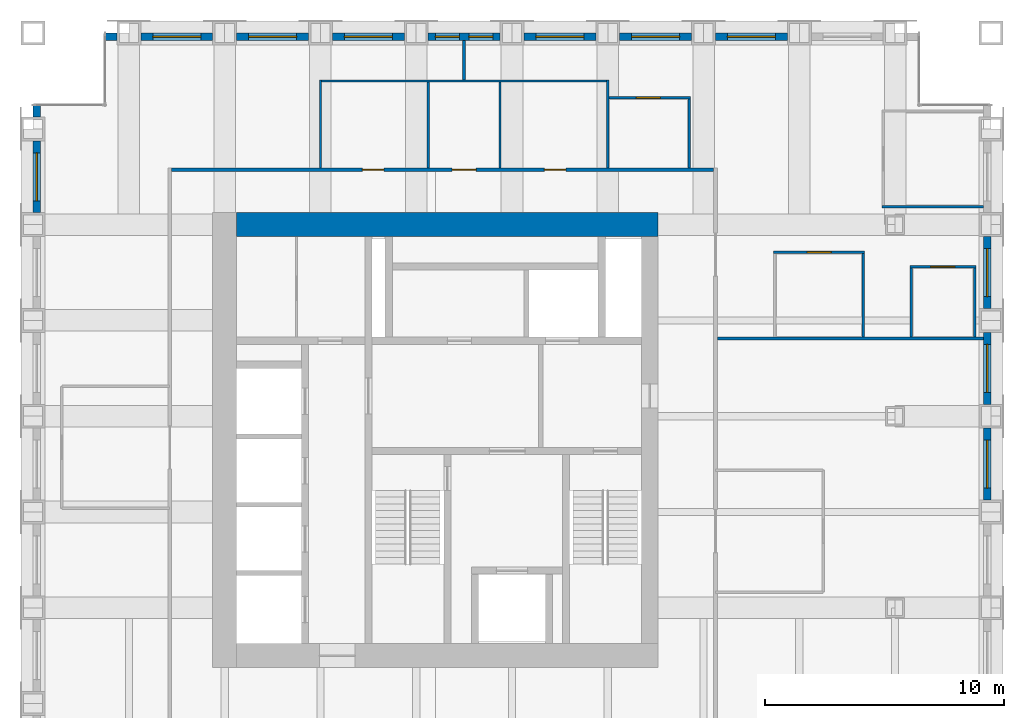
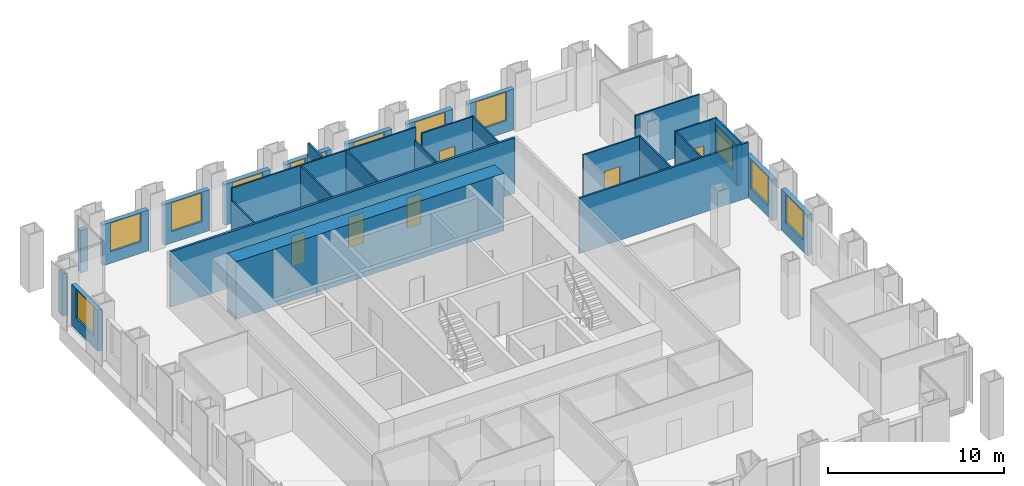
# One storey, part 10 of 13: 30 walls, 12 windows, 6 doors, 18 openings.
"""IFC4 building model written with IfcOpenShell, lengths in metres."""

from ifc_helpers import new_model, si_unit, direction, frame, frame_2d, origin, place, context, subcontext, project, spatial, rectangle, extrude, material, layer, layer_set, type_object, element, fill, save


model = new_model("IFC4")

# Units and contexts
model_context = context("Model", 3, precision=1e-05, world=origin(), true_north=direction((0.0, 1.0)))
body_context = subcontext(model_context, "Body", "Model", "MODEL_VIEW")
ifc_project = project(units=[si_unit("LENGTHUNIT", "METRE"), si_unit("AREAUNIT", "SQUARE_METRE"), si_unit("VOLUMEUNIT", "CUBIC_METRE"), si_unit("PLANEANGLEUNIT", "RADIAN"), si_unit("MASSUNIT", "GRAM", prefix="KILO")], contexts=[model_context])

# Site, building, storey
site_placement = place(None, origin())
site = spatial("IfcSite", under=ifc_project, at=site_placement, CompositionType="ELEMENT")
building_placement = place(site_placement, origin())
building = spatial("IfcBuilding", under=site, at=building_placement, Name="Rimbunsela Tower", CompositionType="ELEMENT")
storey_placement = place(building_placement, frame((0.0, 0.0, 262.199951171875)))
storey = spatial("IfcBuildingStorey", under=building, at=storey_placement, Name="L63", CompositionType="ELEMENT", Elevation=262.199951171875)

# Wall
ifc_material_1 = material(Name="Concrete fc' 80 MPa", Category="concrete")
ifc_layer_1 = layer(ifc_material_1, 1.0)
ifc_layer_set_1 = layer_set([ifc_layer_1], Name="Core wall 1000")
wall_type_1 = type_object("IfcWallType", Name="Core wall 1000", PredefinedType="SHEAR", material=ifc_layer_set_1)
wall_1_placement = place(storey_placement, frame((18.5, 36.0, -0.14990234375), z_axis=(0.0, 0.0, 1.0), x_axis=(1.0, 0.0, 0.0)))
element("IfcWall", 1, at=wall_1_placement, inside=storey, type_object=wall_type_1, Name="Core wall north", PredefinedType="SHEAR", context=body_context, shape_type="SweptSolid", body=[
    extrude(rectangle(XDim=17.60009765625, YDim=1.0, at=frame_2d((8.800048828125, 0.0))), origin(), (0.0, 0.0, 1.0), 4.0),
])

# Wall, opening, door
ifc_material_2 = material(Name="Gypsum board on steel studs", Category="steel")
ifc_layer_2 = layer(ifc_material_2, 0.10009765625)
ifc_layer_set_2 = layer_set([ifc_layer_2], Name="Office partition 100")
wall_type_2 = type_object("IfcWallType", Name="Office partition 100", PredefinedType="PARTITIONING", material=ifc_layer_set_2)
wall_2_placement = place(storey_placement, frame((46.625, 34.25, 0.0), z_axis=(0.0, 0.0, 1.0), x_axis=(1.0, 0.0, 0.0)))
wall_2 = element("IfcWall", 2, at=wall_2_placement, inside=storey, type_object=wall_type_2, Name="Office partition", PredefinedType="PARTITIONING", context=body_context, shape_type="SweptSolid", body=[
    extrude(rectangle(XDim=2.75, YDim=0.10009765625, at=frame_2d((1.375, 0.0))), origin(), (0.0, 0.0, 1.0), 3.85009765625),
])
opening_1_placement = place(wall_2_placement, frame((0.875, 0.0, 0.0)))
opening_1 = element("IfcOpeningElement", 3, at=opening_1_placement, cuts=wall_2, Name="Opening D16", PredefinedType="OPENING", context=body_context, shape_type="SweptSolid", body=[
    extrude(rectangle(XDim=1.0, YDim=2.199951171875, at=frame_2d((0.5, 1.10009765625))), frame((0.0, 0.06005859375, 0.0), z_axis=(0.0, -1.0, 0.0), x_axis=(1.0, 0.0, 0.0)), (0.0, 0.0, 1.0), 0.1201171875),
])
ifc_material_3 = material(Name="Timber door", Category="wood")
door_type_1 = type_object("IfcDoorType", Name="Office door 1000", OperationType="SINGLE_SWING_LEFT", PredefinedType="DOOR", material=ifc_material_3)
door_1_placement = place(opening_1_placement, origin())
door_1 = element("IfcDoor", 4, at=door_1_placement, inside=storey, type_object=door_type_1, Name="Office door", OperationType="SINGLE_SWING_LEFT", OverallHeight=2.199951171875, OverallWidth=1.0, PredefinedType="DOOR", context=body_context, shape_type="SweptSolid", body=[
    extrude(rectangle(XDim=1.0, YDim=2.199951171875, at=frame_2d((0.5, 1.10009765625))), frame((0.0, 0.02490234375, 0.0), z_axis=(0.0, -1.0, 0.0), x_axis=(1.0, 0.0, 0.0)), (0.0, 0.0, 1.0), 0.050048828125),
])
fill(opening_1, door_1)

wall_3_placement = place(storey_placement, frame((40.925048828125, 34.85009765625, 0.0), z_axis=(0.0, 0.0, 1.0), x_axis=(1.0, 0.0, 0.0)))
wall_3 = element("IfcWall", 5, at=wall_3_placement, inside=storey, type_object=wall_type_2, Name="Office partition", PredefinedType="PARTITIONING", context=body_context, shape_type="SweptSolid", body=[
    extrude(rectangle(XDim=3.800048828125, YDim=0.10009765625, at=frame_2d((1.89990234375, 0.0))), origin(), (0.0, 0.0, 1.0), 3.85009765625),
])
opening_2_placement = place(wall_3_placement, frame((1.39990234375, 0.0, 0.0)))
opening_2 = element("IfcOpeningElement", 6, at=opening_2_placement, cuts=wall_3, Name="Opening D17", PredefinedType="OPENING", context=body_context, shape_type="SweptSolid", body=[
    extrude(rectangle(XDim=1.0, YDim=2.199951171875, at=frame_2d((0.5, 1.10009765625))), frame((0.0, 0.06005859375, 0.0), z_axis=(0.0, -1.0, 0.0), x_axis=(1.0, 0.0, 0.0)), (0.0, 0.0, 1.0), 0.1201171875),
])
ifc_material_4 = material(Name="Glazed aluminium door", Category="aluminium")
door_type_2 = type_object("IfcDoorType", Name="Meeting room door 1000 glazed", OperationType="SINGLE_SWING_RIGHT", PredefinedType="DOOR", material=ifc_material_4)
door_2_placement = place(opening_2_placement, origin())
door_2 = element("IfcDoor", 7, at=door_2_placement, inside=storey, type_object=door_type_2, Name="Meeting room door", OperationType="SINGLE_SWING_RIGHT", OverallHeight=2.199951171875, OverallWidth=1.0, PredefinedType="DOOR", context=body_context, shape_type="SweptSolid", body=[
    extrude(rectangle(XDim=1.0, YDim=2.199951171875, at=frame_2d((0.5, 1.10009765625))), frame((0.0, 0.02490234375, 0.0), z_axis=(0.0, -1.0, 0.0), x_axis=(1.0, 0.0, 0.0)), (0.0, 0.0, 1.0), 0.050048828125),
])
fill(opening_2, door_2)

# Wall
wall_4_placement = place(storey_placement, frame((45.449951171875, 36.75, 0.0), z_axis=(0.0, 0.0, 1.0), x_axis=(1.0, 0.0, 0.0)))
element("IfcWall", 8, at=wall_4_placement, inside=storey, type_object=wall_type_2, Name="Office partition", PredefinedType="PARTITIONING", context=body_context, shape_type="SweptSolid", body=[
    extrude(rectangle(XDim=4.25, YDim=0.10009765625, at=frame_2d((2.125, 0.0))), origin(), (0.0, 0.0, 1.0), 3.85009765625),
])

# Wall, opening, door
wall_5_placement = place(storey_placement, frame((34.050048828125, 41.300048828125, 0.0), z_axis=(0.0, 0.0, 1.0), x_axis=(1.0, 0.0, 0.0)))
wall_5 = element("IfcWall", 9, at=wall_5_placement, inside=storey, type_object=wall_type_2, Name="Office partition", PredefinedType="PARTITIONING", context=body_context, shape_type="SweptSolid", body=[
    extrude(rectangle(XDim=3.39990234375, YDim=0.10009765625, at=frame_2d((1.699951171875, 0.0))), origin(), (0.0, 0.0, 1.0), 3.85009765625),
])
opening_3_placement = place(wall_5_placement, frame((1.14990234375, 0.0, 0.0)))
opening_3 = element("IfcOpeningElement", 10, at=opening_3_placement, cuts=wall_5, Name="Opening D16", PredefinedType="OPENING", context=body_context, shape_type="SweptSolid", body=[
    extrude(rectangle(XDim=1.0, YDim=2.199951171875, at=frame_2d((0.5, 1.10009765625))), frame((0.0, 0.06005859375, 0.0), z_axis=(0.0, -1.0, 0.0), x_axis=(1.0, 0.0, 0.0)), (0.0, 0.0, 1.0), 0.1201171875),
])
door_3_placement = place(opening_3_placement, origin())
door_3 = element("IfcDoor", 11, at=door_3_placement, inside=storey, type_object=door_type_1, Name="Office door", OperationType="SINGLE_SWING_LEFT", OverallHeight=2.199951171875, OverallWidth=1.0, PredefinedType="DOOR", context=body_context, shape_type="SweptSolid", body=[
    extrude(rectangle(XDim=1.0, YDim=2.199951171875, at=frame_2d((0.5, 1.10009765625))), frame((0.0, 0.02490234375, 0.0), z_axis=(0.0, -1.0, 0.0), x_axis=(1.0, 0.0, 0.0)), (0.0, 0.0, 1.0), 0.050048828125),
])
fill(opening_3, door_3)

# Walls
wall_6_placement = place(storey_placement, frame((37.39990234375, 38.375, 0.0), z_axis=(0.0, 0.0, 1.0), x_axis=(0.0, 1.0, 0.0)))
element("IfcWall", 12, at=wall_6_placement, inside=storey, type_object=wall_type_2, Name="Office partition", PredefinedType="PARTITIONING", context=body_context, shape_type="SweptSolid", body=[
    extrude(rectangle(XDim=2.875, YDim=0.10009765625, at=frame_2d((1.4375, 0.0))), origin(), (0.0, 0.0, 1.0), 3.85009765625),
])
wall_7_placement = place(storey_placement, frame((44.675048828125, 31.31005859375, 0.0), z_axis=(0.0, 0.0, 1.0), x_axis=(0.0, 1.0, 0.0)))
element("IfcWall", 13, at=wall_7_placement, inside=storey, type_object=wall_type_2, Name="Office partition", PredefinedType="PARTITIONING", context=body_context, shape_type="SweptSolid", body=[
    extrude(rectangle(XDim=3.489990234375, YDim=0.10009765625, at=frame_2d((1.7451171875, 0.0))), origin(), (0.0, 0.0, 1.0), 3.85009765625),
])
for number, where, z_axis, x_axis, name in (
    (14, (46.675048828125, 31.31005859375, 0.0), (0.0, 0.0, 1.0), (0.0, 1.0, 0.0), "Office partition"),
    (15, (49.324951171875, 31.31005859375, 0.0), (0.0, 0.0, 1.0), (0.0, 1.0, 0.0), "Office partition"),
):
    element("IfcWall", number, at=place(storey_placement, frame(where, z_axis=z_axis, x_axis=x_axis)), inside=storey, type_object=wall_type_2, Name=name, PredefinedType="PARTITIONING", context=body_context, shape_type="SweptSolid", body=[
        extrude(rectangle(XDim=2.889892578125, YDim=0.10009765625, at=frame_2d((1.44482421875, 0.0))), origin(), (0.0, 0.0, 1.0), 3.85009765625),
    ])

# Wall, opening, window
ifc_material_5 = material(Name="Precast concrete fc' 35 MPa", Category="concrete")
ifc_layer_3 = layer(ifc_material_5, 0.300048828125)
ifc_layer_set_3 = layer_set([ifc_layer_3], Name="Precast concrete fc' 35 MPa")
wall_type_3 = type_object("IfcWallType", Name="Precast facade panel 300", PredefinedType="ELEMENTEDWALL", material=ifc_layer_set_3)
wall_8_placement = place(storey_placement, frame((49.85009765625, 24.5, 0.0), z_axis=(0.0, 0.0, 1.0), x_axis=(0.0, 1.0, 0.0)))
wall_8 = element("IfcWall", 16, at=wall_8_placement, inside=storey, type_object=wall_type_3, Name="Facade panel E L63", PredefinedType="ELEMENTEDWALL", context=body_context, shape_type="SweptSolid", body=[
    extrude(rectangle(XDim=3.0, YDim=0.300048828125, at=frame_2d((1.5, 0.0))), origin(), (0.0, 0.0, 1.0), 2.85009765625),
])
opening_4_placement = place(wall_8_placement, frame((0.5, 0.0, 0.800048828125)))
opening_4 = element("IfcOpeningElement", 17, at=opening_4_placement, cuts=wall_8, Name="Opening W1", PredefinedType="OPENING", context=body_context, shape_type="SweptSolid", body=[
    extrude(rectangle(XDim=2.0, YDim=2.0, at=frame_2d((1.0, 1.0))), frame((0.0, 0.159912109375, 0.0), z_axis=(0.0, -1.0, 0.0), x_axis=(1.0, 0.0, 0.0)), (0.0, 0.0, 1.0), 0.320068359375),
])
ifc_material_6 = material(Name="Clear glass in aluminium frame", Category="aluminium")
window_type_1 = type_object("IfcWindowType", Name="Window W1 2000x2000", PartitioningType="DOUBLE_PANEL_VERTICAL", PredefinedType="WINDOW", material=ifc_material_6)
window_1_placement = place(opening_4_placement, origin())
window_1 = element("IfcWindow", 18, at=window_1_placement, inside=storey, type_object=window_type_1, Name="Window L63", OverallHeight=2.0, OverallWidth=2.0, PartitioningType="SINGLE_PANEL", PredefinedType="WINDOW", context=body_context, shape_type="SweptSolid", body=[
    extrude(rectangle(XDim=2.0, YDim=2.0, at=frame_2d((1.0, 1.0))), frame((0.0, 0.030029296875, 0.0), z_axis=(0.0, -1.0, 0.0), x_axis=(1.0, 0.0, 0.0)), (0.0, 0.0, 1.0), 0.06005859375),
])
fill(opening_4, window_1)

wall_9_placement = place(storey_placement, frame((49.85009765625, 28.5, 0.0), z_axis=(0.0, 0.0, 1.0), x_axis=(0.0, 1.0, 0.0)))
wall_9 = element("IfcWall", 19, at=wall_9_placement, inside=storey, type_object=wall_type_3, Name="Facade panel E L63", PredefinedType="ELEMENTEDWALL", context=body_context, shape_type="SweptSolid", body=[
    extrude(rectangle(XDim=3.0, YDim=0.300048828125, at=frame_2d((1.5, 0.0))), origin(), (0.0, 0.0, 1.0), 2.85009765625),
])
opening_5_placement = place(wall_9_placement, frame((0.5, 0.0, 0.800048828125)))
opening_5 = element("IfcOpeningElement", 20, at=opening_5_placement, cuts=wall_9, Name="Opening W1", PredefinedType="OPENING", context=body_context, shape_type="SweptSolid", body=[
    extrude(rectangle(XDim=2.0, YDim=2.0, at=frame_2d((1.0, 1.0))), frame((0.0, 0.159912109375, 0.0), z_axis=(0.0, -1.0, 0.0), x_axis=(1.0, 0.0, 0.0)), (0.0, 0.0, 1.0), 0.320068359375),
])
window_2_placement = place(opening_5_placement, origin())
window_2 = element("IfcWindow", 21, at=window_2_placement, inside=storey, type_object=window_type_1, Name="Window L63", OverallHeight=2.0, OverallWidth=2.0, PartitioningType="SINGLE_PANEL", PredefinedType="WINDOW", context=body_context, shape_type="SweptSolid", body=[
    extrude(rectangle(XDim=2.0, YDim=2.0, at=frame_2d((1.0, 1.0))), frame((0.0, 0.030029296875, 0.0), z_axis=(0.0, -1.0, 0.0), x_axis=(1.0, 0.0, 0.0)), (0.0, 0.0, 1.0), 0.06005859375),
])
fill(opening_5, window_2)

wall_10_placement = place(storey_placement, frame((49.85009765625, 32.5, 0.0), z_axis=(0.0, 0.0, 1.0), x_axis=(0.0, 1.0, 0.0)))
wall_10 = element("IfcWall", 22, at=wall_10_placement, inside=storey, type_object=wall_type_3, Name="Facade panel E L63", PredefinedType="ELEMENTEDWALL", context=body_context, shape_type="SweptSolid", body=[
    extrude(rectangle(XDim=3.0, YDim=0.300048828125, at=frame_2d((1.5, 0.0))), origin(), (0.0, 0.0, 1.0), 2.85009765625),
])
opening_6_placement = place(wall_10_placement, frame((0.5, 0.0, 0.800048828125)))
opening_6 = element("IfcOpeningElement", 23, at=opening_6_placement, cuts=wall_10, Name="Opening W1", PredefinedType="OPENING", context=body_context, shape_type="SweptSolid", body=[
    extrude(rectangle(XDim=2.0, YDim=2.0, at=frame_2d((1.0, 1.0))), frame((0.0, 0.159912109375, 0.0), z_axis=(0.0, -1.0, 0.0), x_axis=(1.0, 0.0, 0.0)), (0.0, 0.0, 1.0), 0.320068359375),
])
window_3_placement = place(opening_6_placement, origin())
window_3 = element("IfcWindow", 24, at=window_3_placement, inside=storey, type_object=window_type_1, Name="Window L63", OverallHeight=2.0, OverallWidth=2.0, PartitioningType="SINGLE_PANEL", PredefinedType="WINDOW", context=body_context, shape_type="SweptSolid", body=[
    extrude(rectangle(XDim=2.0, YDim=2.0, at=frame_2d((1.0, 1.0))), frame((0.0, 0.030029296875, 0.0), z_axis=(0.0, -1.0, 0.0), x_axis=(1.0, 0.0, 0.0)), (0.0, 0.0, 1.0), 0.06005859375),
])
fill(opening_6, window_3)

# Wall
wall_11_placement = place(storey_placement, frame((13.5, 43.85009765625, 0.0), z_axis=(0.0, 0.0, 1.0), x_axis=(-1.0, 0.0, 0.0)))
element("IfcWall", 25, at=wall_11_placement, inside=storey, type_object=wall_type_3, Name="Facade panel N L63", PredefinedType="ELEMENTEDWALL", context=body_context, shape_type="SweptSolid", body=[
    extrude(rectangle(XDim=0.469970703125, YDim=0.300048828125, at=frame_2d((0.23486328125, 0.0))), origin(), (0.0, 0.0, 1.0), 2.949951171875),
])

# Wall, opening, window
wall_12_placement = place(storey_placement, frame((17.5, 43.85009765625, 0.0), z_axis=(0.0, 0.0, 1.0), x_axis=(-1.0, 0.0, 0.0)))
wall_12 = element("IfcWall", 26, at=wall_12_placement, inside=storey, type_object=wall_type_3, Name="Facade panel N L63", PredefinedType="ELEMENTEDWALL", context=body_context, shape_type="SweptSolid", body=[
    extrude(rectangle(XDim=3.0, YDim=0.300048828125, at=frame_2d((1.5, 0.0))), origin(), (0.0, 0.0, 1.0), 2.85009765625),
])
opening_7_placement = place(wall_12_placement, frame((0.5, 0.0, 0.800048828125)))
opening_7 = element("IfcOpeningElement", 27, at=opening_7_placement, cuts=wall_12, Name="Opening W1", PredefinedType="OPENING", context=body_context, shape_type="SweptSolid", body=[
    extrude(rectangle(XDim=2.0, YDim=2.0, at=frame_2d((1.0, 1.0))), frame((0.0, 0.159912109375, 0.0), z_axis=(0.0, -1.0, 0.0), x_axis=(1.0, 0.0, 0.0)), (0.0, 0.0, 1.0), 0.320068359375),
])
window_4_placement = place(opening_7_placement, origin())
window_4 = element("IfcWindow", 28, at=window_4_placement, inside=storey, type_object=window_type_1, Name="Window L63", OverallHeight=2.0, OverallWidth=2.0, PartitioningType="SINGLE_PANEL", PredefinedType="WINDOW", context=body_context, shape_type="SweptSolid", body=[
    extrude(rectangle(XDim=2.0, YDim=2.0, at=frame_2d((1.0, 1.0))), frame((0.0, 0.030029296875, 0.0), z_axis=(0.0, -1.0, 0.0), x_axis=(1.0, 0.0, 0.0)), (0.0, 0.0, 1.0), 0.06005859375),
])
fill(opening_7, window_4)

wall_13_placement = place(storey_placement, frame((21.5, 43.85009765625, 0.0), z_axis=(0.0, 0.0, 1.0), x_axis=(-1.0, 0.0, 0.0)))
wall_13 = element("IfcWall", 29, at=wall_13_placement, inside=storey, type_object=wall_type_3, Name="Facade panel N L63", PredefinedType="ELEMENTEDWALL", context=body_context, shape_type="SweptSolid", body=[
    extrude(rectangle(XDim=3.0, YDim=0.300048828125, at=frame_2d((1.5, 0.0))), origin(), (0.0, 0.0, 1.0), 2.85009765625),
])
opening_8_placement = place(wall_13_placement, frame((0.5, 0.0, 0.800048828125)))
opening_8 = element("IfcOpeningElement", 30, at=opening_8_placement, cuts=wall_13, Name="Opening W1", PredefinedType="OPENING", context=body_context, shape_type="SweptSolid", body=[
    extrude(rectangle(XDim=2.0, YDim=2.0, at=frame_2d((1.0, 1.0))), frame((0.0, 0.159912109375, 0.0), z_axis=(0.0, -1.0, 0.0), x_axis=(1.0, 0.0, 0.0)), (0.0, 0.0, 1.0), 0.320068359375),
])
window_5_placement = place(opening_8_placement, origin())
window_5 = element("IfcWindow", 31, at=window_5_placement, inside=storey, type_object=window_type_1, Name="Window L63", OverallHeight=2.0, OverallWidth=2.0, PartitioningType="SINGLE_PANEL", PredefinedType="WINDOW", context=body_context, shape_type="SweptSolid", body=[
    extrude(rectangle(XDim=2.0, YDim=2.0, at=frame_2d((1.0, 1.0))), frame((0.0, 0.030029296875, 0.0), z_axis=(0.0, -1.0, 0.0), x_axis=(1.0, 0.0, 0.0)), (0.0, 0.0, 1.0), 0.06005859375),
])
fill(opening_8, window_5)

wall_14_placement = place(storey_placement, frame((25.5, 43.85009765625, 0.0), z_axis=(0.0, 0.0, 1.0), x_axis=(-1.0, 0.0, 0.0)))
wall_14 = element("IfcWall", 32, at=wall_14_placement, inside=storey, type_object=wall_type_3, Name="Facade panel N L63", PredefinedType="ELEMENTEDWALL", context=body_context, shape_type="SweptSolid", body=[
    extrude(rectangle(XDim=3.0, YDim=0.300048828125, at=frame_2d((1.5, 0.0))), origin(), (0.0, 0.0, 1.0), 2.85009765625),
])
opening_9_placement = place(wall_14_placement, frame((0.5, 0.0, 0.800048828125)))
opening_9 = element("IfcOpeningElement", 33, at=opening_9_placement, cuts=wall_14, Name="Opening W1", PredefinedType="OPENING", context=body_context, shape_type="SweptSolid", body=[
    extrude(rectangle(XDim=2.0, YDim=2.0, at=frame_2d((1.0, 1.0))), frame((0.0, 0.159912109375, 0.0), z_axis=(0.0, -1.0, 0.0), x_axis=(1.0, 0.0, 0.0)), (0.0, 0.0, 1.0), 0.320068359375),
])
window_6_placement = place(opening_9_placement, origin())
window_6 = element("IfcWindow", 34, at=window_6_placement, inside=storey, type_object=window_type_1, Name="Window L63", OverallHeight=2.0, OverallWidth=2.0, PartitioningType="SINGLE_PANEL", PredefinedType="WINDOW", context=body_context, shape_type="SweptSolid", body=[
    extrude(rectangle(XDim=2.0, YDim=2.0, at=frame_2d((1.0, 1.0))), frame((0.0, 0.030029296875, 0.0), z_axis=(0.0, -1.0, 0.0), x_axis=(1.0, 0.0, 0.0)), (0.0, 0.0, 1.0), 0.06005859375),
])
fill(opening_9, window_6)

# Wall, openings, windows
wall_15_placement = place(storey_placement, frame((29.5, 43.85009765625, 0.0), z_axis=(0.0, 0.0, 1.0), x_axis=(-1.0, 0.0, 0.0)))
wall_15 = element("IfcWall", 35, at=wall_15_placement, inside=storey, type_object=wall_type_3, Name="Facade panel N L63", PredefinedType="ELEMENTEDWALL", context=body_context, shape_type="SweptSolid", body=[
    extrude(rectangle(XDim=3.0, YDim=0.300048828125, at=frame_2d((1.5, 0.0))), origin(), (0.0, 0.0, 1.0), 2.85009765625),
])
opening_10_placement = place(wall_15_placement, frame((1.699951171875, 0.0, 0.800048828125)))
opening_10 = element("IfcOpeningElement", 36, at=opening_10_placement, cuts=wall_15, Name="Opening W5", PredefinedType="OPENING", context=body_context, shape_type="SweptSolid", body=[
    extrude(rectangle(XDim=1.0, YDim=2.0, at=frame_2d((0.5, 1.0))), frame((0.0, 0.159912109375, 0.0), z_axis=(0.0, -1.0, 0.0), x_axis=(1.0, 0.0, 0.0)), (0.0, 0.0, 1.0), 0.320068359375),
])
opening_11_placement = place(wall_15_placement, frame((0.300048828125, 0.0, 0.800048828125)))
opening_11 = element("IfcOpeningElement", 37, at=opening_11_placement, cuts=wall_15, Name="Opening W5", PredefinedType="OPENING", context=body_context, shape_type="SweptSolid", body=[
    extrude(rectangle(XDim=1.0, YDim=2.0, at=frame_2d((0.5, 1.0))), frame((0.0, 0.159912109375, 0.0), z_axis=(0.0, -1.0, 0.0), x_axis=(1.0, 0.0, 0.0)), (0.0, 0.0, 1.0), 0.320068359375),
])
ifc_material_7 = material(Name="Clear glass in aluminium frame", Category="aluminium")
window_type_2 = type_object("IfcWindowType", Name="Window W5 1000x2000", PartitioningType="SINGLE_PANEL", PredefinedType="WINDOW", material=ifc_material_7)
window_7_placement = place(opening_10_placement, origin())
window_7 = element("IfcWindow", 38, at=window_7_placement, inside=storey, type_object=window_type_2, Name="Window L63", OverallHeight=2.0, OverallWidth=1.0, PartitioningType="SINGLE_PANEL", PredefinedType="WINDOW", context=body_context, shape_type="SweptSolid", body=[
    extrude(rectangle(XDim=1.0, YDim=2.0, at=frame_2d((0.5, 1.0))), frame((0.0, 0.030029296875, 0.0), z_axis=(0.0, -1.0, 0.0), x_axis=(1.0, 0.0, 0.0)), (0.0, 0.0, 1.0), 0.06005859375),
])
fill(opening_10, window_7)
window_8_placement = place(opening_11_placement, origin())
window_8 = element("IfcWindow", 39, at=window_8_placement, inside=storey, type_object=window_type_2, Name="Window L63", OverallHeight=2.0, OverallWidth=1.0, PartitioningType="SINGLE_PANEL", PredefinedType="WINDOW", context=body_context, shape_type="SweptSolid", body=[
    extrude(rectangle(XDim=1.0, YDim=2.0, at=frame_2d((0.5, 1.0))), frame((0.0, 0.030029296875, 0.0), z_axis=(0.0, -1.0, 0.0), x_axis=(1.0, 0.0, 0.0)), (0.0, 0.0, 1.0), 0.06005859375),
])
fill(opening_11, window_8)

# Wall, opening, window
wall_16_placement = place(storey_placement, frame((33.5, 43.85009765625, 0.0), z_axis=(0.0, 0.0, 1.0), x_axis=(-1.0, 0.0, 0.0)))
wall_16 = element("IfcWall", 40, at=wall_16_placement, inside=storey, type_object=wall_type_3, Name="Facade panel N L63", PredefinedType="ELEMENTEDWALL", context=body_context, shape_type="SweptSolid", body=[
    extrude(rectangle(XDim=3.0, YDim=0.300048828125, at=frame_2d((1.5, 0.0))), origin(), (0.0, 0.0, 1.0), 2.85009765625),
])
opening_12_placement = place(wall_16_placement, frame((0.5, 0.0, 0.800048828125)))
opening_12 = element("IfcOpeningElement", 41, at=opening_12_placement, cuts=wall_16, Name="Opening W1", PredefinedType="OPENING", context=body_context, shape_type="SweptSolid", body=[
    extrude(rectangle(XDim=2.0, YDim=2.0, at=frame_2d((1.0, 1.0))), frame((0.0, 0.159912109375, 0.0), z_axis=(0.0, -1.0, 0.0), x_axis=(1.0, 0.0, 0.0)), (0.0, 0.0, 1.0), 0.320068359375),
])
window_9_placement = place(opening_12_placement, origin())
window_9 = element("IfcWindow", 42, at=window_9_placement, inside=storey, type_object=window_type_1, Name="Window L63", OverallHeight=2.0, OverallWidth=2.0, PartitioningType="SINGLE_PANEL", PredefinedType="WINDOW", context=body_context, shape_type="SweptSolid", body=[
    extrude(rectangle(XDim=2.0, YDim=2.0, at=frame_2d((1.0, 1.0))), frame((0.0, 0.030029296875, 0.0), z_axis=(0.0, -1.0, 0.0), x_axis=(1.0, 0.0, 0.0)), (0.0, 0.0, 1.0), 0.06005859375),
])
fill(opening_12, window_9)

wall_17_placement = place(storey_placement, frame((37.5, 43.85009765625, 0.0), z_axis=(0.0, 0.0, 1.0), x_axis=(-1.0, 0.0, 0.0)))
wall_17 = element("IfcWall", 43, at=wall_17_placement, inside=storey, type_object=wall_type_3, Name="Facade panel N L63", PredefinedType="ELEMENTEDWALL", context=body_context, shape_type="SweptSolid", body=[
    extrude(rectangle(XDim=3.0, YDim=0.300048828125, at=frame_2d((1.5, 0.0))), origin(), (0.0, 0.0, 1.0), 2.85009765625),
])
opening_13_placement = place(wall_17_placement, frame((0.5, 0.0, 0.800048828125)))
opening_13 = element("IfcOpeningElement", 44, at=opening_13_placement, cuts=wall_17, Name="Opening W1", PredefinedType="OPENING", context=body_context, shape_type="SweptSolid", body=[
    extrude(rectangle(XDim=2.0, YDim=2.0, at=frame_2d((1.0, 1.0))), frame((0.0, 0.159912109375, 0.0), z_axis=(0.0, -1.0, 0.0), x_axis=(1.0, 0.0, 0.0)), (0.0, 0.0, 1.0), 0.320068359375),
])
window_10_placement = place(opening_13_placement, origin())
window_10 = element("IfcWindow", 45, at=window_10_placement, inside=storey, type_object=window_type_1, Name="Window L63", OverallHeight=2.0, OverallWidth=2.0, PartitioningType="SINGLE_PANEL", PredefinedType="WINDOW", context=body_context, shape_type="SweptSolid", body=[
    extrude(rectangle(XDim=2.0, YDim=2.0, at=frame_2d((1.0, 1.0))), frame((0.0, 0.030029296875, 0.0), z_axis=(0.0, -1.0, 0.0), x_axis=(1.0, 0.0, 0.0)), (0.0, 0.0, 1.0), 0.06005859375),
])
fill(opening_13, window_10)

wall_18_placement = place(storey_placement, frame((41.5, 43.85009765625, 0.0), z_axis=(0.0, 0.0, 1.0), x_axis=(-1.0, 0.0, 0.0)))
wall_18 = element("IfcWall", 46, at=wall_18_placement, inside=storey, type_object=wall_type_3, Name="Facade panel N L63", PredefinedType="ELEMENTEDWALL", context=body_context, shape_type="SweptSolid", body=[
    extrude(rectangle(XDim=3.0, YDim=0.300048828125, at=frame_2d((1.5, 0.0))), origin(), (0.0, 0.0, 1.0), 2.85009765625),
])
opening_14_placement = place(wall_18_placement, frame((0.5, 0.0, 0.800048828125)))
opening_14 = element("IfcOpeningElement", 47, at=opening_14_placement, cuts=wall_18, Name="Opening W1", PredefinedType="OPENING", context=body_context, shape_type="SweptSolid", body=[
    extrude(rectangle(XDim=2.0, YDim=2.0, at=frame_2d((1.0, 1.0))), frame((0.0, 0.159912109375, 0.0), z_axis=(0.0, -1.0, 0.0), x_axis=(1.0, 0.0, 0.0)), (0.0, 0.0, 1.0), 0.320068359375),
])
window_11_placement = place(opening_14_placement, origin())
window_11 = element("IfcWindow", 48, at=window_11_placement, inside=storey, type_object=window_type_1, Name="Window L63", OverallHeight=2.0, OverallWidth=2.0, PartitioningType="SINGLE_PANEL", PredefinedType="WINDOW", context=body_context, shape_type="SweptSolid", body=[
    extrude(rectangle(XDim=2.0, YDim=2.0, at=frame_2d((1.0, 1.0))), frame((0.0, 0.030029296875, 0.0), z_axis=(0.0, -1.0, 0.0), x_axis=(1.0, 0.0, 0.0)), (0.0, 0.0, 1.0), 0.06005859375),
])
fill(opening_14, window_11)

wall_19_placement = place(storey_placement, frame((10.14990234375, 39.5, 0.0), z_axis=(0.0, 0.0, 1.0), x_axis=(0.0, -1.0, 0.0)))
wall_19 = element("IfcWall", 49, at=wall_19_placement, inside=storey, type_object=wall_type_3, Name="Facade panel W L63", PredefinedType="ELEMENTEDWALL", context=body_context, shape_type="SweptSolid", body=[
    extrude(rectangle(XDim=3.0, YDim=0.300048828125, at=frame_2d((1.5, 0.0))), origin(), (0.0, 0.0, 1.0), 2.85009765625),
])
opening_15_placement = place(wall_19_placement, frame((0.5, 0.0, 0.800048828125)))
opening_15 = element("IfcOpeningElement", 50, at=opening_15_placement, cuts=wall_19, Name="Opening W1", PredefinedType="OPENING", context=body_context, shape_type="SweptSolid", body=[
    extrude(rectangle(XDim=2.0, YDim=2.0, at=frame_2d((1.0, 1.0))), frame((0.0, 0.159912109375, 0.0), z_axis=(0.0, -1.0, 0.0), x_axis=(1.0, 0.0, 0.0)), (0.0, 0.0, 1.0), 0.320068359375),
])
window_12_placement = place(opening_15_placement, origin())
window_12 = element("IfcWindow", 51, at=window_12_placement, inside=storey, type_object=window_type_1, Name="Window L63", OverallHeight=2.0, OverallWidth=2.0, PartitioningType="SINGLE_PANEL", PredefinedType="WINDOW", context=body_context, shape_type="SweptSolid", body=[
    extrude(rectangle(XDim=2.0, YDim=2.0, at=frame_2d((1.0, 1.0))), frame((0.0, 0.030029296875, 0.0), z_axis=(0.0, -1.0, 0.0), x_axis=(1.0, 0.0, 0.0)), (0.0, 0.0, 1.0), 0.06005859375),
])
fill(opening_15, window_12)

# Wall
wall_20_placement = place(storey_placement, frame((10.14990234375, 40.969970703125, 0.0), z_axis=(0.0, 0.0, 1.0), x_axis=(0.0, -1.0, 0.0)))
element("IfcWall", 52, at=wall_20_placement, inside=storey, type_object=wall_type_3, Name="Facade panel W L63", PredefinedType="ELEMENTEDWALL", context=body_context, shape_type="SweptSolid", body=[
    extrude(rectangle(XDim=0.469970703125, YDim=0.300048828125, at=frame_2d((0.23486328125, 0.0))), origin(), (0.0, 0.0, 1.0), 2.949951171875),
])

# Wall, openings, doors
ifc_material_8 = material(Name="Fire-rated gypsum board on steel studs, EI 60", Category="steel")
ifc_layer_4 = layer(ifc_material_8, 0.14990234375)
ifc_layer_set_4 = layer_set([ifc_layer_4], Name="Rated corridor wall 150")
wall_type_4 = type_object("IfcWallType", Name="Rated corridor wall 150", PredefinedType="PARTITIONING", material=ifc_layer_set_4)
wall_21_placement = place(storey_placement, frame((15.77490234375, 38.300048828125, 0.0), z_axis=(0.0, 0.0, 1.0), x_axis=(1.0, 0.0, 0.0)))
wall_21 = element("IfcWall", 53, at=wall_21_placement, inside=storey, type_object=wall_type_4, Name="Corridor wall north", PredefinedType="PARTITIONING", context=body_context, shape_type="SweptSolid", body=[
    extrude(rectangle(XDim=22.650146484375, YDim=0.14990234375, at=frame_2d((11.3251953125, 0.0))), origin(), (0.0, 0.0, 1.0), 3.85009765625),
])
opening_16_placement = place(wall_21_placement, frame((7.97509765625, 0.0, 0.0)))
opening_16 = element("IfcOpeningElement", 54, at=opening_16_placement, cuts=wall_21, Name="Opening D04", PredefinedType="OPENING", context=body_context, shape_type="SweptSolid", body=[
    extrude(rectangle(XDim=0.89990234375, YDim=2.10009765625, at=frame_2d((0.449951171875, 1.050048828125))), frame((0.0, 0.0849609375, 0.0), z_axis=(0.0, -1.0, 0.0), x_axis=(1.0, 0.0, 0.0)), (0.0, 0.0, 1.0), 0.169921875),
])
opening_17_placement = place(wall_21_placement, frame((11.72509765625, 0.0, 0.0)))
opening_17 = element("IfcOpeningElement", 55, at=opening_17_placement, cuts=wall_21, Name="Opening D05", PredefinedType="OPENING", context=body_context, shape_type="SweptSolid", body=[
    extrude(rectangle(XDim=1.0, YDim=2.10009765625, at=frame_2d((0.5, 1.050048828125))), frame((0.0, 0.0849609375, 0.0), z_axis=(0.0, -1.0, 0.0), x_axis=(1.0, 0.0, 0.0)), (0.0, 0.0, 1.0), 0.169921875),
])
opening_18_placement = place(wall_21_placement, frame((15.574951171875, 0.0, 0.0)))
opening_18 = element("IfcOpeningElement", 56, at=opening_18_placement, cuts=wall_21, Name="Opening D04", PredefinedType="OPENING", context=body_context, shape_type="SweptSolid", body=[
    extrude(rectangle(XDim=0.89990234375, YDim=2.10009765625, at=frame_2d((0.449951171875, 1.050048828125))), frame((0.0, 0.0849609375, 0.0), z_axis=(0.0, -1.0, 0.0), x_axis=(1.0, 0.0, 0.0)), (0.0, 0.0, 1.0), 0.169921875),
])
ifc_material_9 = material(Name="Timber door", Category="wood")
door_type_3 = type_object("IfcDoorType", Name="Accessible WC door 1000", OperationType="SLIDING_TO_LEFT", PredefinedType="DOOR", material=ifc_material_9)
door_4_placement = place(opening_17_placement, origin())
door_4 = element("IfcDoor", 57, at=door_4_placement, inside=storey, type_object=door_type_3, Name="Accessible WC door", OperationType="SLIDING_TO_LEFT", OverallHeight=2.10009765625, OverallWidth=1.0, PredefinedType="DOOR", context=body_context, shape_type="SweptSolid", body=[
    extrude(rectangle(XDim=1.0, YDim=2.10009765625, at=frame_2d((0.5, 1.050048828125))), frame((0.0, 0.02490234375, 0.0), z_axis=(0.0, -1.0, 0.0), x_axis=(1.0, 0.0, 0.0)), (0.0, 0.0, 1.0), 0.050048828125),
])
fill(opening_17, door_4)
ifc_material_10 = material(Name="Timber door", Category="wood")
door_type_4 = type_object("IfcDoorType", Name="Toilet door 900", OperationType="SINGLE_SWING_LEFT", PredefinedType="DOOR", material=ifc_material_10)
door_5_placement = place(opening_16_placement, origin())
door_5 = element("IfcDoor", 58, at=door_5_placement, inside=storey, type_object=door_type_4, Name="Female WC door", OperationType="SINGLE_SWING_LEFT", OverallHeight=2.10009765625, OverallWidth=0.89990234375, PredefinedType="DOOR", context=body_context, shape_type="SweptSolid", body=[
    extrude(rectangle(XDim=0.89990234375, YDim=2.10009765625, at=frame_2d((0.449951171875, 1.050048828125))), frame((0.0, 0.02490234375, 0.0), z_axis=(0.0, -1.0, 0.0), x_axis=(1.0, 0.0, 0.0)), (0.0, 0.0, 1.0), 0.050048828125),
])
fill(opening_16, door_5)
door_6_placement = place(opening_18_placement, origin())
door_6 = element("IfcDoor", 59, at=door_6_placement, inside=storey, type_object=door_type_4, Name="Male WC door", OperationType="SINGLE_SWING_LEFT", OverallHeight=2.10009765625, OverallWidth=0.89990234375, PredefinedType="DOOR", context=body_context, shape_type="SweptSolid", body=[
    extrude(rectangle(XDim=0.89990234375, YDim=2.10009765625, at=frame_2d((0.449951171875, 1.050048828125))), frame((0.0, 0.02490234375, 0.0), z_axis=(0.0, -1.0, 0.0), x_axis=(1.0, 0.0, 0.0)), (0.0, 0.0, 1.0), 0.050048828125),
])
fill(opening_18, door_6)

# Walls
ifc_material_11 = material(Name="Gypsum board on steel studs", Category="steel")
ifc_layer_5 = layer(ifc_material_11, 0.1201171875)
ifc_layer_set_5 = layer_set([ifc_layer_5], Name="Tenancy partition 120")
wall_type_5 = type_object("IfcWallType", Name="Tenancy partition 120", PredefinedType="PARTITIONING", material=ifc_layer_set_5)
wall_22_placement = place(storey_placement, frame((28.0, 42.050048828125, 0.0), z_axis=(0.0, 0.0, 1.0), x_axis=(0.0, 1.0, 0.0)))
element("IfcWall", 60, at=wall_22_placement, inside=storey, type_object=wall_type_5, Name="Tenancy partition north", PredefinedType="PARTITIONING", context=body_context, shape_type="SweptSolid", body=[
    extrude(rectangle(XDim=1.64990234375, YDim=0.1201171875, at=frame_2d((0.824951171875, 0.0))), origin(), (0.0, 0.0, 1.0), 3.85009765625),
])
wall_23_placement = place(storey_placement, frame((38.574951171875, 31.25, 0.0), z_axis=(0.0, 0.0, 1.0), x_axis=(1.0, 0.0, 0.0)))
element("IfcWall", 61, at=wall_23_placement, inside=storey, type_object=wall_type_5, Name="Tenancy partition", PredefinedType="PARTITIONING", context=body_context, shape_type="SweptSolid", body=[
    extrude(rectangle(XDim=11.125, YDim=0.1201171875, at=frame_2d((5.5625, 0.0))), origin(), (0.0, 0.0, 1.0), 3.85009765625),
])
ifc_material_12 = material(Name="Concrete blockwork", Category="masonry")
ifc_layer_6 = layer(ifc_material_12, 0.10009765625)
ifc_layer_set_6 = layer_set([ifc_layer_6], Name="Toilet partition 100")
wall_type_6 = type_object("IfcWallType", Name="Toilet partition 100", PredefinedType="PARTITIONING", material=ifc_layer_set_6)
for number, where, z_axis, x_axis, name in (
    (62, (22.0, 38.375, 0.0), (0.0, 0.0, 1.0), (0.0, 1.0, 0.0), "Toilet block wall west"),
    (63, (34.0, 38.375, 0.0), (0.0, 0.0, 1.0), (0.0, 1.0, 0.0), "Toilet block wall east"),
):
    element("IfcWall", number, at=place(storey_placement, frame(where, z_axis=z_axis, x_axis=x_axis)), inside=storey, type_object=wall_type_6, Name=name, PredefinedType="PARTITIONING", context=body_context, shape_type="SweptSolid", body=[
        extrude(rectangle(XDim=3.675048828125, YDim=0.10009765625, at=frame_2d((1.83740234375, 0.0))), origin(), (0.0, 0.0, 1.0), 2.949951171875),
    ])
wall_24_placement = place(storey_placement, frame((21.949951171875, 42.0, 0.0), z_axis=(0.0, 0.0, 1.0), x_axis=(1.0, 0.0, 0.0)))
element("IfcWall", 64, at=wall_24_placement, inside=storey, type_object=wall_type_6, Name="Toilet block wall north", PredefinedType="PARTITIONING", context=body_context, shape_type="SweptSolid", body=[
    extrude(rectangle(XDim=12.10009765625, YDim=0.10009765625, at=frame_2d((6.050048828125, 0.0))), origin(), (0.0, 0.0, 1.0), 3.85009765625),
])
for number, where, z_axis, x_axis, name in (
    (65, (26.5, 38.375, 0.0), (0.0, 0.0, 1.0), (0.0, 1.0, 0.0), "Toilet partition"),
    (66, (29.5, 38.375, 0.0), (0.0, 0.0, 1.0), (0.0, 1.0, 0.0), "Toilet partition"),
):
    element("IfcWall", number, at=place(storey_placement, frame(where, z_axis=z_axis, x_axis=x_axis)), inside=storey, type_object=wall_type_6, Name=name, PredefinedType="PARTITIONING", context=body_context, shape_type="SweptSolid", body=[
        extrude(rectangle(XDim=3.574951171875, YDim=0.10009765625, at=frame_2d((1.78759765625, 0.0))), origin(), (0.0, 0.0, 1.0), 3.85009765625),
    ])

save(model, "model.ifc")
